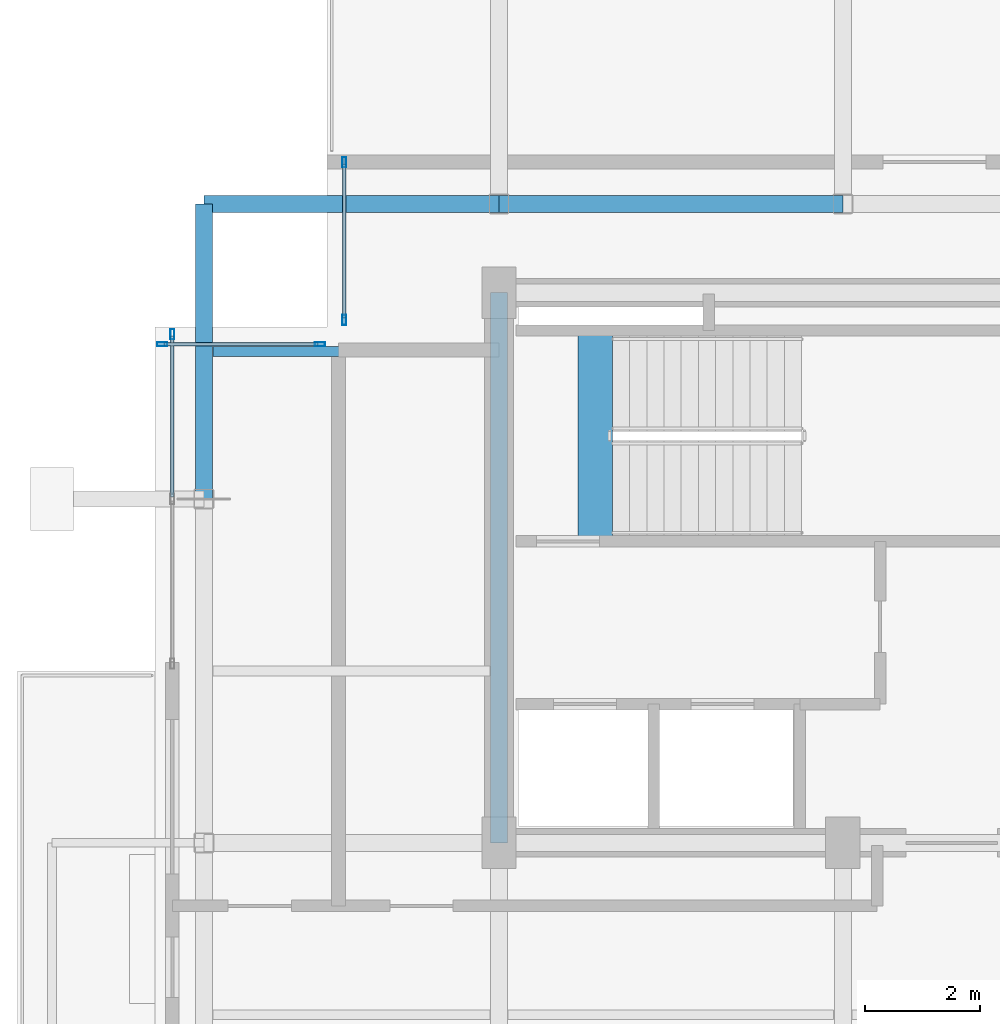
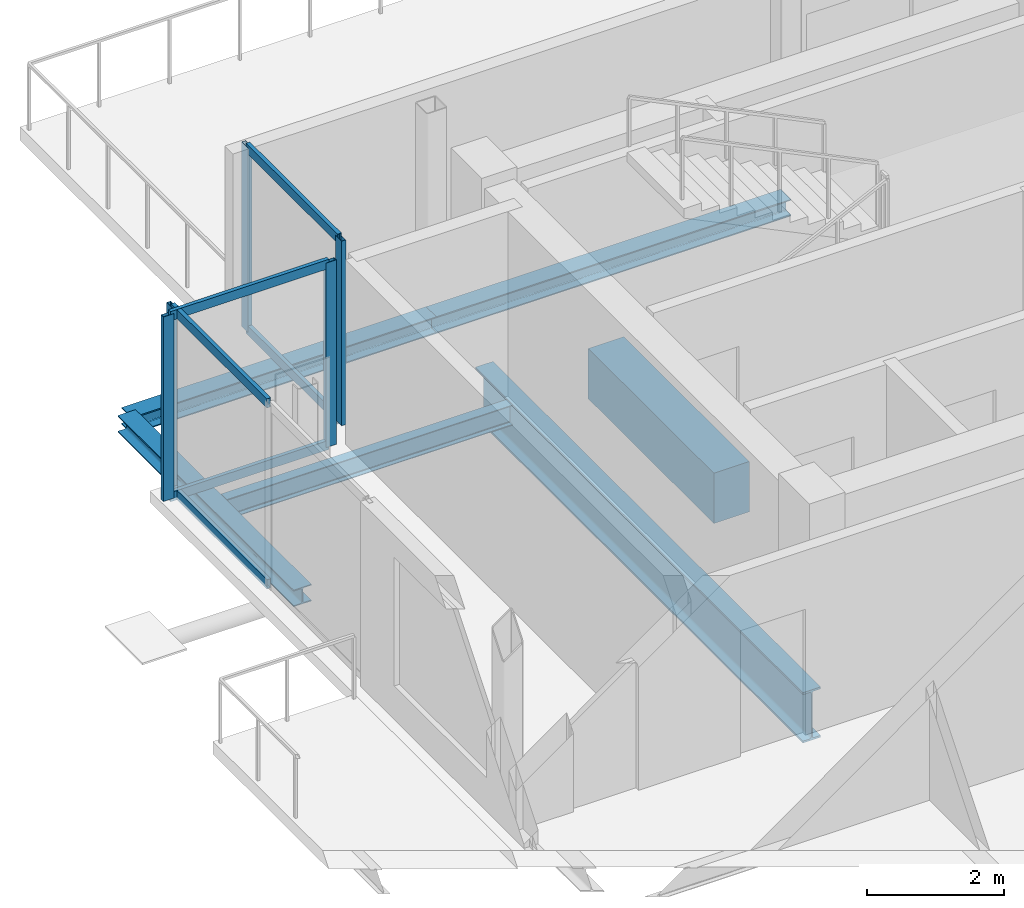
# One storey, part 8 of 19: 11 members, 6 beams, 3 elements without a shape of their own.
"""IFC4 building model written with IfcOpenShell, lengths in metres."""

from ifc_helpers import new_model, si_unit, direction, frame, origin, origin_2d, place, context, subcontext, project, spatial, rectangle, hollow_rectangle, i_section, extrude, material, layer, layer_set, material_profile, profile_set, type_object, element, aggregate, save


model = new_model("IFC4")

# Units and contexts
model_context = context("Model", 3, precision=1e-05, world=origin(), true_north=direction((0.0, 1.0)))
body_context = subcontext(model_context, "Body", "Model", "MODEL_VIEW")
ifc_project = project(units=[si_unit("LENGTHUNIT", "METRE"), si_unit("AREAUNIT", "SQUARE_METRE"), si_unit("VOLUMEUNIT", "CUBIC_METRE"), si_unit("PLANEANGLEUNIT", "RADIAN"), si_unit("MASSUNIT", "GRAM", prefix="KILO"), si_unit("THERMODYNAMICTEMPERATUREUNIT", "KELVIN"), si_unit("POWERUNIT", "WATT")], contexts=[model_context])

# Site, building, storey
site_placement = place(None, origin())
site = spatial("IfcSite", under=ifc_project, at=site_placement, CompositionType="ELEMENT")
building_placement = place(site_placement, origin())
building = spatial("IfcBuilding", under=site, at=building_placement, Name="Svarakhadi Broadcast Tower", CompositionType="ELEMENT")
storey_placement = place(building_placement, frame((0.0, 0.0, 239.699951171875)))
storey = spatial("IfcBuildingStorey", under=building, at=storey_placement, Name="L59", CompositionType="ELEMENT", Elevation=239.699951171875)

# Beam
ifc_material_1 = material(Name="Steel S355J2 (IS 2062 E350C)", Category="steel")
ifc_material_profile_1 = material_profile(ifc_material_1, i_section(OverallWidth=0.169921875, OverallDepth=0.360107421875, WebThickness=0.008056640625, FlangeThickness=0.0126953125, FilletRadius=0.01806640625, at=origin_2d()), Name="NPB 360x170x57")
ifc_profile_set_1 = profile_set([ifc_material_profile_1], Name="Steel S355J2 (IS 2062 E350C)")
beam_type_1 = type_object("IfcBeamType", Name="Beam_NPB360", PredefinedType="BEAM", material=ifc_profile_set_1)
beam_1_placement = place(storey_placement, frame((1.010009765625, 26.574951171875, -0.3798828125), z_axis=(1.0, 0.0, 0.0), x_axis=(0.0, 1.0, 0.0)))
element("IfcBeam", 1, at=beam_1_placement, inside=storey, type_object=beam_type_1, Name="L59 Secondary Composite Beam SB004", PredefinedType="BEAM", context=body_context, shape_type="SweptSolid", body=[
    extrude(i_section(OverallWidth=0.169921875, OverallDepth=0.360107421875, WebThickness=0.008056640625, FlangeThickness=0.0126953125, FilletRadius=0.01806640625, at=origin_2d()), origin(), (0.0, 0.0, 1.0), 4.830078125),
])

# Curtain wall, member
ifc_material_2 = material(Name="Anodised Bronze Aluminium AA 6063-T6", Category="aluminium")
ifc_layer = layer(ifc_material_2, 0.179931640625)
ifc_layer_set = layer_set([ifc_layer], Name="Anodised Bronze Aluminium AA 6063-T6")
curtain_wall_type = type_object("IfcCurtainWallType", Name="CW_Sys_05", PredefinedType="NOTDEFINED", material=ifc_layer_set)
curtain_wall_1_placement = place(storey_placement, origin())
curtain_wall_1 = element("IfcCurtainWall", 2, at=curtain_wall_1_placement, inside=storey, type_object=curtain_wall_type, Name="L59 West Curtain Wall 03", PredefinedType="NOTDEFINED")
ifc_material_profile_2 = material_profile(ifc_material_2, hollow_rectangle(XDim=0.070068359375, YDim=0.179931640625, WallThickness=0.005615234375, at=origin_2d()), Name="ALU MULLION 180x70x6")
ifc_profile_set_2 = profile_set([ifc_material_profile_2], Name="Anodised Bronze Aluminium AA 6063-T6")
member_type_1 = type_object("IfcMemberType", Name="CW_Sys_05_Mul", PredefinedType="MULLION", material=ifc_profile_set_2)
member_1_placement = place(storey_placement, frame((0.300048828125, 26.875, 0.0), z_axis=(0.0, 0.0, 1.0), x_axis=(-1.0, 0.0, 0.0)))
member_1 = element("IfcMember", 3, at=member_1_placement, type_object=member_type_1, Name="CW-05 mullion 3", PredefinedType="MULLION", context=body_context, shape_type="SweptSolid", body=[
    extrude(hollow_rectangle(XDim=0.070068359375, YDim=0.179931640625, WallThickness=0.005615234375, at=origin_2d()), origin(), (0.0, 0.0, 1.0), 3.300048828125),
])

# Curtain wall, members
curtain_wall_2_placement = place(storey_placement, origin())
curtain_wall_2 = element("IfcCurtainWall", 4, at=curtain_wall_2_placement, inside=storey, type_object=curtain_wall_type, Name="L59 Unitised Facade Curtain Wall 04", PredefinedType="NOTDEFINED")
member_2_placement = place(storey_placement, frame((0.125, 26.699951171875, 0.0), z_axis=(0.0, 0.0, 1.0), x_axis=(0.0, 1.0, 0.0)))
member_2 = element("IfcMember", 5, at=member_2_placement, type_object=member_type_1, Name="CW-05 mullion 1", PredefinedType="MULLION", context=body_context, shape_type="SweptSolid", body=[
    extrude(hollow_rectangle(XDim=0.070068359375, YDim=0.179931640625, WallThickness=0.005615234375, at=origin_2d()), origin(), (0.0, 0.0, 1.0), 3.300048828125),
])
member_3_placement = place(storey_placement, frame((2.875, 26.699951171875, 0.0), z_axis=(0.0, 0.0, 1.0), x_axis=(0.0, 1.0, 0.0)))
member_3 = element("IfcMember", 6, at=member_3_placement, type_object=member_type_1, Name="CW-05 mullion 2", PredefinedType="MULLION", context=body_context, shape_type="SweptSolid", body=[
    extrude(hollow_rectangle(XDim=0.070068359375, YDim=0.179931640625, WallThickness=0.005615234375, at=origin_2d()), origin(), (0.0, 0.0, 1.0), 3.300048828125),
])

curtain_wall_3_placement = place(storey_placement, origin())
curtain_wall_3 = element("IfcCurtainWall", 7, at=curtain_wall_3_placement, inside=storey, type_object=curtain_wall_type, Name="L59 Unitised Facade Curtain Wall 05", PredefinedType="NOTDEFINED")
member_4_placement = place(storey_placement, frame((3.300048828125, 27.125, 0.0), z_axis=(0.0, 0.0, 1.0), x_axis=(-1.0, 0.0, 0.0)))
member_4 = element("IfcMember", 8, at=member_4_placement, type_object=member_type_1, Name="CW-05 mullion 1", PredefinedType="MULLION", context=body_context, shape_type="SweptSolid", body=[
    extrude(hollow_rectangle(XDim=0.070068359375, YDim=0.179931640625, WallThickness=0.005615234375, at=origin_2d()), origin(), (0.0, 0.0, 1.0), 3.300048828125),
])
member_5_placement = place(storey_placement, frame((3.300048828125, 29.875, 0.0), z_axis=(0.0, 0.0, 1.0), x_axis=(-1.0, 0.0, 0.0)))
member_5 = element("IfcMember", 9, at=member_5_placement, type_object=member_type_1, Name="CW-05 mullion 2", PredefinedType="MULLION", context=body_context, shape_type="SweptSolid", body=[
    extrude(hollow_rectangle(XDim=0.070068359375, YDim=0.179931640625, WallThickness=0.005615234375, at=origin_2d()), origin(), (0.0, 0.0, 1.0), 3.300048828125),
])

# Member
ifc_material_profile_3 = material_profile(ifc_material_2, hollow_rectangle(XDim=0.06494140625, YDim=0.1650390625, WallThickness=0.0048828125, at=origin_2d()), Name="ALU TRANSOM 165x65x5")
ifc_profile_set_3 = profile_set([ifc_material_profile_3], Name="Anodised Bronze Aluminium AA 6063-T6")
member_type_2 = type_object("IfcMemberType", Name="CW_Sys_05_Trn", PredefinedType="USERDEFINED", material=ifc_profile_set_3)
member_6_placement = place(storey_placement, frame((0.300048828125, 24.034912109375, 0.032470703125), z_axis=(0.0, 1.0, 0.0), x_axis=(-1.0, 0.0, 0.0)))
member_6 = element("IfcMember", 10, at=member_6_placement, type_object=member_type_2, Name="CW-05 transom 2.1", ObjectType="TRANSOM", PredefinedType="USERDEFINED", context=body_context, shape_type="SweptSolid", body=[
    extrude(hollow_rectangle(XDim=0.06494140625, YDim=0.1650390625, WallThickness=0.0048828125, at=origin_2d()), origin(), (0.0, 0.0, 1.0), 2.80517578125),
])

member_7_placement = place(storey_placement, frame((0.300048828125, 24.034912109375, 3.267578125), z_axis=(0.0, 1.0, 0.0), x_axis=(-1.0, 0.0, 0.0)))
member_7 = element("IfcMember", 11, at=member_7_placement, type_object=member_type_2, Name="CW-05 transom 2.2", ObjectType="TRANSOM", PredefinedType="USERDEFINED", context=body_context, shape_type="SweptSolid", body=[
    extrude(hollow_rectangle(XDim=0.06494140625, YDim=0.1650390625, WallThickness=0.0048828125, at=origin_2d()), origin(), (0.0, 0.0, 1.0), 2.80517578125),
])

aggregate(curtain_wall_1, [member_1, member_6, member_7])

member_8_placement = place(storey_placement, frame((0.159912109375, 26.699951171875, 0.032470703125), z_axis=(1.0, 0.0, 0.0), x_axis=(0.0, 1.0, 0.0)))
member_8 = element("IfcMember", 12, at=member_8_placement, type_object=member_type_2, Name="CW-05 transom 1.1", ObjectType="TRANSOM", PredefinedType="USERDEFINED", context=body_context, shape_type="SweptSolid", body=[
    extrude(hollow_rectangle(XDim=0.06494140625, YDim=0.1650390625, WallThickness=0.0048828125, at=origin_2d()), origin(), (0.0, 0.0, 1.0), 2.68017578125),
])

member_9_placement = place(storey_placement, frame((0.159912109375, 26.699951171875, 3.267578125), z_axis=(1.0, 0.0, 0.0), x_axis=(0.0, 1.0, 0.0)))
member_9 = element("IfcMember", 13, at=member_9_placement, type_object=member_type_2, Name="CW-05 transom 1.2", ObjectType="TRANSOM", PredefinedType="USERDEFINED", context=body_context, shape_type="SweptSolid", body=[
    extrude(hollow_rectangle(XDim=0.06494140625, YDim=0.1650390625, WallThickness=0.0048828125, at=origin_2d()), origin(), (0.0, 0.0, 1.0), 2.68017578125),
])

aggregate(curtain_wall_2, [member_2, member_3, member_8, member_9])

member_10_placement = place(storey_placement, frame((3.300048828125, 27.159912109375, 0.032470703125), z_axis=(0.0, 1.0, 0.0), x_axis=(-1.0, 0.0, 0.0)))
member_10 = element("IfcMember", 14, at=member_10_placement, type_object=member_type_2, Name="CW-05 transom 1.1", ObjectType="TRANSOM", PredefinedType="USERDEFINED", context=body_context, shape_type="SweptSolid", body=[
    extrude(hollow_rectangle(XDim=0.06494140625, YDim=0.1650390625, WallThickness=0.0048828125, at=origin_2d()), origin(), (0.0, 0.0, 1.0), 2.68017578125),
])

member_11_placement = place(storey_placement, frame((3.300048828125, 27.159912109375, 3.267578125), z_axis=(0.0, 1.0, 0.0), x_axis=(-1.0, 0.0, 0.0)))
member_11 = element("IfcMember", 15, at=member_11_placement, type_object=member_type_2, Name="CW-05 transom 1.2", ObjectType="TRANSOM", PredefinedType="USERDEFINED", context=body_context, shape_type="SweptSolid", body=[
    extrude(hollow_rectangle(XDim=0.06494140625, YDim=0.1650390625, WallThickness=0.0048828125, at=origin_2d()), origin(), (0.0, 0.0, 1.0), 2.68017578125),
])

aggregate(curtain_wall_3, [member_4, member_5, member_10, member_11])

# Beams
ifc_material_3 = material(Name="Concrete C50/60 (IS 456 M60)", Category="concrete")
ifc_material_profile_4 = material_profile(ifc_material_3, rectangle(XDim=0.60009765625, YDim=0.89990234375, at=origin_2d()), Name="RC 600x900")
ifc_profile_set_4 = profile_set([ifc_material_profile_4], Name="Concrete C50/60 (IS 456 M60)")
beam_type_2 = type_object("IfcBeamType", Name="Coupling_RC600", PredefinedType="USERDEFINED", material=ifc_profile_set_4)
beam_2_placement = place(storey_placement, frame((7.679931640625, 23.260009765625, -0.449951171875), z_axis=(0.0, 1.0, 0.0), x_axis=(-1.0, 0.0, 0.0)))
element("IfcBeam", 16, at=beam_2_placement, inside=storey, type_object=beam_type_2, Name="L59 Stair ST-01 Landing Throat Trimmer Beam CB-01", ObjectType="GIRDER", PredefinedType="USERDEFINED", context=body_context, shape_type="SweptSolid", body=[
    extrude(rectangle(XDim=0.60009765625, YDim=0.89990234375, at=origin_2d()), origin(), (0.0, 0.0, 1.0), 3.679931640625),
])
ifc_material_profile_5 = material_profile(ifc_material_1, i_section(OverallWidth=0.300048828125, OverallDepth=0.300048828125, WebThickness=0.010986328125, FlangeThickness=0.01904296875, FilletRadius=0.027099609375, at=origin_2d()), Name="WPB 300x300x117")
ifc_profile_set_5 = profile_set([ifc_material_profile_5], Name="Steel S355J2 (IS 2062 E350C)")
beam_type_3 = type_object("IfcBeamType", Name="Girder_WPB300", PredefinedType="USERDEFINED", material=ifc_profile_set_5)
beam_3_placement = place(storey_placement, frame((0.85009765625, 29.14990234375, -0.349853515625), z_axis=(1.0, 0.0, 0.0), x_axis=(0.0, 1.0, 0.0)))
element("IfcBeam", 17, at=beam_3_placement, inside=storey, type_object=beam_type_3, Name="L59 Primary E-W Girder G025", ObjectType="GIRDER", PredefinedType="USERDEFINED", context=body_context, shape_type="SweptSolid", body=[
    extrude(i_section(OverallWidth=0.300048828125, OverallDepth=0.300048828125, WebThickness=0.010986328125, FlangeThickness=0.01904296875, FilletRadius=0.027099609375, at=origin_2d()), origin(), (0.0, 0.0, 1.0), 5.14990234375),
])
beam_4_placement = place(storey_placement, frame((6.0, 29.14990234375, -0.349853515625), z_axis=(1.0, 0.0, 0.0), x_axis=(0.0, 1.0, 0.0)))
element("IfcBeam", 18, at=beam_4_placement, inside=storey, type_object=beam_type_3, Name="L59 Primary E-W Girder G026", ObjectType="GIRDER", PredefinedType="USERDEFINED", context=body_context, shape_type="SweptSolid", body=[
    extrude(i_section(OverallWidth=0.300048828125, OverallDepth=0.300048828125, WebThickness=0.010986328125, FlangeThickness=0.01904296875, FilletRadius=0.027099609375, at=origin_2d()), origin(), (0.0, 0.0, 1.0), 6.0),
])
beam_5_placement = place(storey_placement, frame((0.85009765625, 24.0, -0.349853515625), z_axis=(0.0, 1.0, 0.0), x_axis=(-1.0, 0.0, 0.0)))
element("IfcBeam", 19, at=beam_5_placement, inside=storey, type_object=beam_type_3, Name="L59 Primary N-S Girder G031", ObjectType="GIRDER", PredefinedType="USERDEFINED", context=body_context, shape_type="SweptSolid", body=[
    extrude(i_section(OverallWidth=0.300048828125, OverallDepth=0.300048828125, WebThickness=0.010986328125, FlangeThickness=0.01904296875, FilletRadius=0.027099609375, at=origin_2d()), origin(), (0.0, 0.0, 1.0), 5.14990234375),
])
ifc_material_4 = material(Name="Steel S460ML (IS 2062 E450BR)", Category="steel")
ifc_material_profile_6 = material_profile(ifc_material_4, i_section(OverallWidth=0.300048828125, OverallDepth=0.89990234375, WebThickness=0.0185546875, FlangeThickness=0.034912109375, FilletRadius=0.030029296875, at=origin_2d()), Name="WPB 900x300x291")
ifc_profile_set_6 = profile_set([ifc_material_profile_6], Name="Steel S460ML (IS 2062 E450BR)")
beam_type_4 = type_object("IfcBeamType", Name="Girder_WPB900", PredefinedType="USERDEFINED", material=ifc_profile_set_6)
beam_6_placement = place(storey_placement, frame((6.0, 18.0, -0.64990234375), z_axis=(0.0, 1.0, 0.0), x_axis=(-1.0, 0.0, 0.0)))
element("IfcBeam", 20, at=beam_6_placement, inside=storey, type_object=beam_type_4, Name="L59 Primary N-S Girder G035", ObjectType="GIRDER", PredefinedType="USERDEFINED", context=body_context, shape_type="SweptSolid", body=[
    extrude(i_section(OverallWidth=0.300048828125, OverallDepth=0.89990234375, WebThickness=0.0185546875, FlangeThickness=0.034912109375, FilletRadius=0.030029296875, at=origin_2d()), origin(), (0.0, 0.0, 1.0), 9.60009765625),
])

save(model, "model.ifc")
